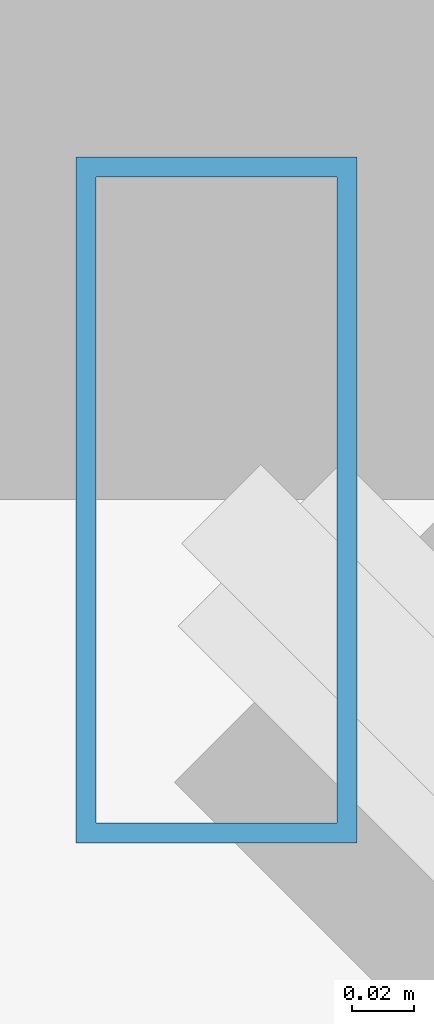
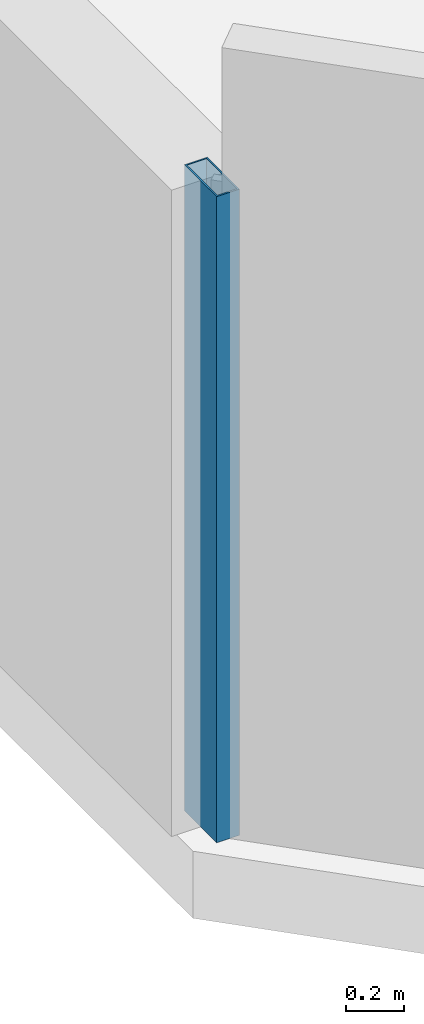
# One storey, part 6 of 33: 1 member, 1 element without a shape of its own.
"""IFC4 building model written with IfcOpenShell, lengths in metres."""

from ifc_helpers import new_model, si_unit, direction, frame, origin, origin_2d, place, context, subcontext, project, spatial, hollow_rectangle, extrude, material, material_profile, profile_set, type_object, element, aggregate, save


model = new_model("IFC4")

# Units and contexts
model_context = context("Model", 3, precision=1e-05, world=origin(), true_north=direction((0.0, 1.0)))
body_context = subcontext(model_context, "Body", "Model", "MODEL_VIEW")
ifc_project = project(units=[si_unit("LENGTHUNIT", "METRE"), si_unit("AREAUNIT", "SQUARE_METRE"), si_unit("VOLUMEUNIT", "CUBIC_METRE"), si_unit("PLANEANGLEUNIT", "RADIAN"), si_unit("MASSUNIT", "GRAM", prefix="KILO")], contexts=[model_context])

# Site, building, storey
site_placement = place(None, origin())
site = spatial("IfcSite", under=ifc_project, at=site_placement, CompositionType="ELEMENT")
building_placement = place(site_placement, origin())
building = spatial("IfcBuilding", under=site, at=building_placement, Name="Thornwick Lancets Civic Towers", CompositionType="ELEMENT")
storey_placement = place(building_placement, frame((0.0, 0.0, 98.10009765625)))
storey = spatial("IfcBuildingStorey", under=building, at=storey_placement, Name="L25", CompositionType="ELEMENT", Elevation=98.10009765625)

# Curtain wall, member
ifc_material_1 = material(Name="Low-zone chamfered-corner unitised glass curtain wall", Category="glass")
curtain_wall_type = type_object("IfcCurtainWallType", Name="CW_SYS_03", PredefinedType="NOTDEFINED", material=ifc_material_1)
curtain_wall_placement = place(storey_placement, origin())
curtain_wall = element("IfcCurtainWall", 1, at=curtain_wall_placement, inside=storey, type_object=curtain_wall_type, Name="L25 Curtain Wall CW-L25-B-E7", PredefinedType="NOTDEFINED")
ifc_material_2 = material(Name="Thermally broken bronze aluminium S355", Category="steel")
ifc_material_profile = material_profile(ifc_material_2, hollow_rectangle(XDim=0.090087890625, YDim=0.219970703125, WallThickness=0.00634765625, at=origin_2d()), Name="RHS 220x90x6.3")
ifc_profile_set = profile_set([ifc_material_profile], Name="Thermally broken bronze aluminium S355")
member_type = type_object("IfcMemberType", Name="CW_MUL_220", PredefinedType="MULLION", material=ifc_profile_set)
member_placement = place(storey_placement, frame((64.54052734375, 7.248291015625, 0.0), z_axis=(0.0, 0.0, 1.0), x_axis=(1.0, 0.0, 0.0)))
member = element("IfcMember", 2, at=member_placement, type_object=member_type, Name="CW-L25-B-E7 Mullion 0", PredefinedType="MULLION", context=body_context, shape_type="SweptSolid", body=[
    extrude(hollow_rectangle(XDim=0.090087890625, YDim=0.219970703125, WallThickness=0.00634765625, at=origin_2d()), origin(), (0.0, 0.0, 1.0), 2.699951171875),
])
aggregate(curtain_wall, [member])

save(model, "model.ifc")
